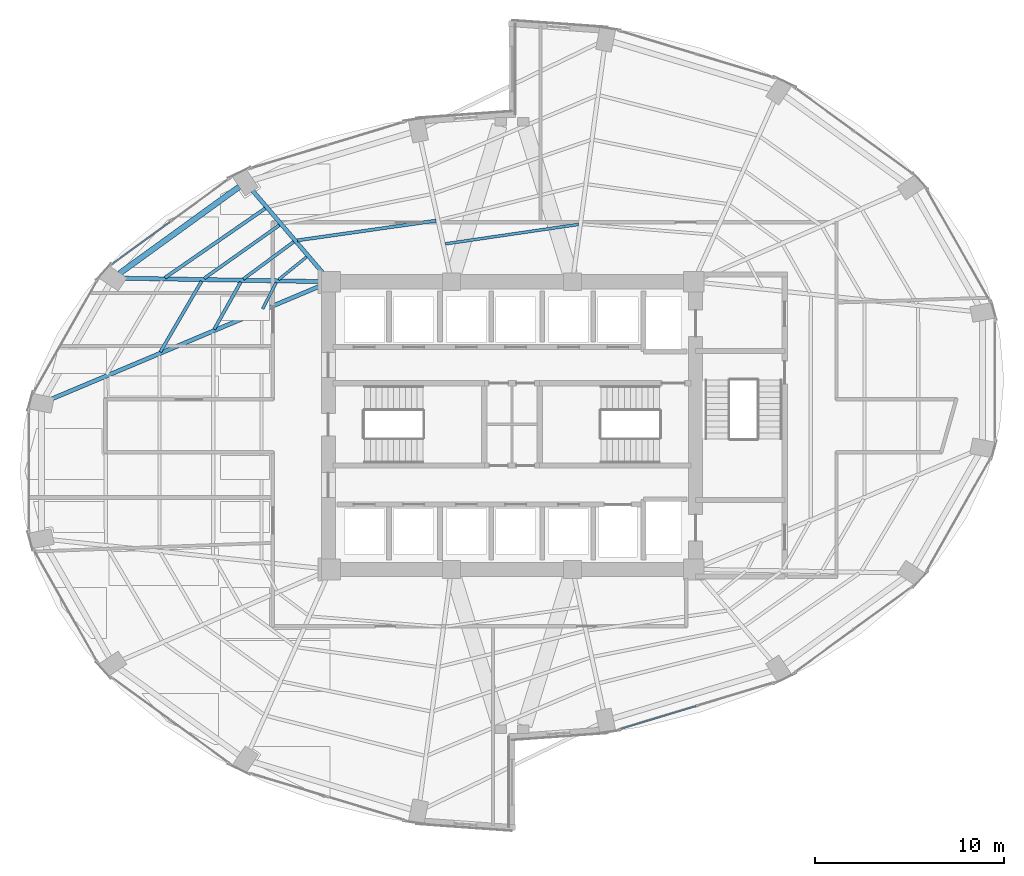
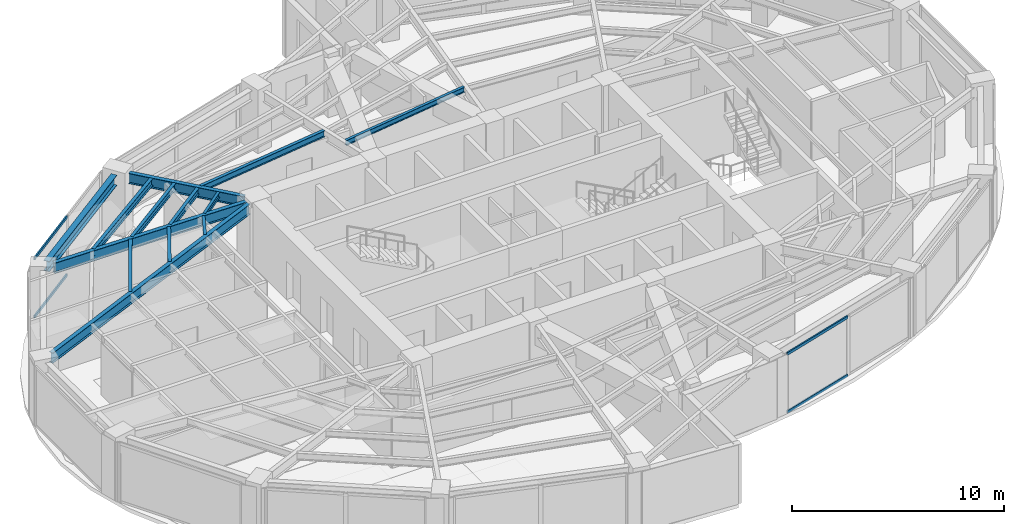
# One storey, part 9 of 23: 13 beams, 4 members, 2 elements without a shape of their own.
"""IFC4 building model written with IfcOpenShell, lengths in metres."""

from ifc_helpers import new_model, si_unit, direction, frame, origin, origin_2d, place, context, subcontext, project, spatial, hollow_rectangle, i_section, extrude, material, layer, layer_set, material_profile, profile_set, type_object, element, aggregate, save


model = new_model("IFC4")

# Units and contexts
model_context = context("Model", 3, precision=1e-05, world=origin(), true_north=direction((0.0, 1.0)))
body_context = subcontext(model_context, "Body", "Model", "MODEL_VIEW")
ifc_project = project(units=[si_unit("LENGTHUNIT", "METRE"), si_unit("AREAUNIT", "SQUARE_METRE"), si_unit("VOLUMEUNIT", "CUBIC_METRE"), si_unit("PLANEANGLEUNIT", "RADIAN"), si_unit("MASSUNIT", "GRAM", prefix="KILO")], contexts=[model_context])

# Site, building, storey
site_placement = place(None, origin())
site = spatial("IfcSite", under=ifc_project, at=site_placement, CompositionType="ELEMENT")
building_placement = place(site_placement, origin())
building = spatial("IfcBuilding", under=site, at=building_placement, Name="Lazwardi Medical Tower", CompositionType="ELEMENT")
storey_placement = place(building_placement, frame((0.0, 0.0, 92.68798828125)))
storey = spatial("IfcBuildingStorey", under=building, at=storey_placement, Name="L23", CompositionType="ELEMENT", Elevation=92.68798828125)

# Beams
ifc_material_1 = material(Name="Steel S355", Category="steel")
ifc_material_profile_1 = material_profile(ifc_material_1, i_section(OverallWidth=0.300048828125, OverallDepth=0.60009765625, WebThickness=0.015380859375, FlangeThickness=0.030029296875, at=origin_2d()), Name="HEB 600")
ifc_profile_set_1 = profile_set([ifc_material_profile_1], Name="Steel S355")
beam_type_1 = type_object("IfcBeamType", Name="BM-RB-Z2", PredefinedType="BEAM", material=ifc_profile_set_1)
beam_1_placement = place(storey_placement, frame((21.584228515625, 40.6171875, 3.1279296875), z_axis=(-0.810041907649, -0.586371987609, 0.0), x_axis=(0.586371987609, -0.810041907649, 0.0)))
element("IfcBeam", 1, at=beam_1_placement, inside=storey, type_object=beam_type_1, Name="Ring beam RB-03 B10 L23", PredefinedType="BEAM", context=body_context, shape_type="SweptSolid", body=[
    extrude(i_section(OverallWidth=0.300048828125, OverallDepth=0.60009765625, WebThickness=0.015380859375, FlangeThickness=0.030029296875, at=origin_2d()), origin(), (0.0, 0.0, 1.0), 7.814208984375),
])
ifc_material_profile_2 = material_profile(ifc_material_1, i_section(OverallWidth=0.219970703125, OverallDepth=0.60009765625, WebThickness=0.011962890625, FlangeThickness=0.01904296875, at=origin_2d()), Name="IPE 600")
ifc_profile_set_2 = profile_set([ifc_material_profile_2], Name="Steel S355")
beam_type_2 = type_object("IfcBeamType", Name="BM-RG-W1", PredefinedType="BEAM", material=ifc_profile_set_2)
beam_2_placement = place(storey_placement, frame((22.292724609375, 40.416259765625, 3.1279296875), z_axis=(0.648870567436, -0.760898801889, 0.0), x_axis=(0.760898801889, 0.648870567436, 0.0)))
element("IfcBeam", 2, at=beam_2_placement, inside=storey, type_object=beam_type_2, Name="Radial girder RG-02 R10 L23", PredefinedType="BEAM", context=body_context, shape_type="SweptSolid", body=[
    extrude(i_section(OverallWidth=0.219970703125, OverallDepth=0.60009765625, WebThickness=0.011962890625, FlangeThickness=0.01904296875, at=origin_2d()), origin(), (0.0, 0.0, 1.0), 5.794677734375),
])
beam_3_placement = place(storey_placement, frame((15.502197265625, 35.784912109375, 3.1279296875), z_axis=(0.99985616395, -0.016960289263, 0.0), x_axis=(0.016960289263, 0.99985616395, 0.0)))
element("IfcBeam", 3, at=beam_3_placement, inside=storey, type_object=beam_type_2, Name="Radial girder RG-02 R11 L23", PredefinedType="BEAM", context=body_context, shape_type="SweptSolid", body=[
    extrude(i_section(OverallWidth=0.219970703125, OverallDepth=0.60009765625, WebThickness=0.011962890625, FlangeThickness=0.01904296875, at=origin_2d()), origin(), (0.0, 0.0, 1.0), 10.3642578125),
])
beam_4_placement = place(storey_placement, frame((11.671630859375, 29.40478515625, 3.1279296875), z_axis=(0.921775176005, 0.38772480563, 0.0), x_axis=(-0.38772480563, 0.921775176005, 0.0)))
element("IfcBeam", 4, at=beam_4_placement, inside=storey, type_object=beam_type_2, Name="Radial girder RG-02 R12 L23", PredefinedType="BEAM", context=body_context, shape_type="SweptSolid", body=[
    extrude(i_section(OverallWidth=0.219970703125, OverallDepth=0.60009765625, WebThickness=0.011962890625, FlangeThickness=0.01904296875, at=origin_2d()), origin(), (0.0, 0.0, 1.0), 15.443359375),
])
ifc_material_profile_3 = material_profile(ifc_material_1, i_section(OverallWidth=0.179931640625, OverallDepth=0.39990234375, WebThickness=0.008544921875, FlangeThickness=0.013427734375, at=origin_2d()), Name="IPE 400")
ifc_profile_set_3 = profile_set([ifc_material_profile_3], Name="Steel S355")
beam_type_3 = type_object("IfcBeamType", Name="BM-SJ-01", PredefinedType="JOIST", material=ifc_profile_set_3)
beam_5_placement = place(storey_placement, frame((22.95849609375, 39.474609375, 3.22802734375), z_axis=(-0.822376339068, -0.568943896128, 0.0), x_axis=(0.568943896128, -0.822376339068, 0.0)))
element("IfcBeam", 5, at=beam_5_placement, inside=storey, type_object=beam_type_3, Name="Secondary joist SJ-01 R1 B10 L23", PredefinedType="JOIST", context=body_context, shape_type="SweptSolid", body=[
    extrude(i_section(OverallWidth=0.179931640625, OverallDepth=0.39990234375, WebThickness=0.008544921875, FlangeThickness=0.013427734375, at=origin_2d()), origin(), (0.0, 0.0, 1.0), 6.44189453125),
])
ifc_material_profile_4 = material_profile(ifc_material_1, i_section(OverallWidth=0.169921875, OverallDepth=0.360107421875, WebThickness=0.008056640625, FlangeThickness=0.0126953125, at=origin_2d()), Name="IPE 360")
ifc_profile_set_4 = profile_set([ifc_material_profile_4], Name="Steel S355")
beam_type_4 = type_object("IfcBeamType", Name="BM-SJ-02", PredefinedType="JOIST", material=ifc_profile_set_4)
beam_6_placement = place(storey_placement, frame((23.7109375, 38.591796875, 3.248046875), z_axis=(-0.816156371539, -0.577831097464, 0.0), x_axis=(0.577831097464, -0.816156371539, 0.0)))
element("IfcBeam", 6, at=beam_6_placement, inside=storey, type_object=beam_type_4, Name="Secondary joist SJ-02 R2 B10 L23", PredefinedType="JOIST", context=body_context, shape_type="SweptSolid", body=[
    extrude(i_section(OverallWidth=0.169921875, OverallDepth=0.360107421875, WebThickness=0.008056640625, FlangeThickness=0.0126953125, at=origin_2d()), origin(), (0.0, 0.0, 1.0), 4.8740234375),
])
beam_7_placement = place(storey_placement, frame((19.594482421875, 35.623779296875, 3.248046875), z_axis=(-0.503544274258, -0.86396942299, 0.0), x_axis=(0.86396942299, -0.503544274258, 0.0)))
element("IfcBeam", 7, at=beam_7_placement, inside=storey, type_object=beam_type_4, Name="Secondary joist SJ-02 R2 B11 L23", PredefinedType="JOIST", context=body_context, shape_type="SweptSolid", body=[
    extrude(i_section(OverallWidth=0.169921875, OverallDepth=0.360107421875, WebThickness=0.008056640625, FlangeThickness=0.0126953125, at=origin_2d()), origin(), (0.0, 0.0, 1.0), 4.321044921875),
])
beam_8_placement = place(storey_placement, frame((31.988525390625, 38.8271484375, 3.248046875), z_axis=(-0.990067108571, -0.140595592128, 0.0), x_axis=(0.140595592128, -0.990067108571, 0.0)))
element("IfcBeam", 8, at=beam_8_placement, inside=storey, type_object=beam_type_4, Name="Secondary joist SJ-02 R3 B09 L23", PredefinedType="JOIST", context=body_context, shape_type="SweptSolid", body=[
    extrude(i_section(OverallWidth=0.169921875, OverallDepth=0.360107421875, WebThickness=0.008056640625, FlangeThickness=0.0126953125, at=origin_2d()), origin(), (0.0, 0.0, 1.0), 7.409423828125),
])
beam_9_placement = place(storey_placement, frame((24.46435546875, 37.708251953125, 3.248046875), z_axis=(-0.804125525058, -0.594459536008, 0.0), x_axis=(0.594459536008, -0.804125525058, 0.0)))
element("IfcBeam", 9, at=beam_9_placement, inside=storey, type_object=beam_type_4, Name="Secondary joist SJ-02 R3 B10 L23", PredefinedType="JOIST", context=body_context, shape_type="SweptSolid", body=[
    extrude(i_section(OverallWidth=0.169921875, OverallDepth=0.360107421875, WebThickness=0.008056640625, FlangeThickness=0.0126953125, at=origin_2d()), origin(), (0.0, 0.0, 1.0), 3.30810546875),
])
beam_10_placement = place(storey_placement, frame((21.66845703125, 35.587890625, 3.248046875), z_axis=(-0.489860824278, -0.871800649711, 0.0), x_axis=(0.871800649711, -0.489860824278, 0.0)))
element("IfcBeam", 10, at=beam_10_placement, inside=storey, type_object=beam_type_4, Name="Secondary joist SJ-02 R3 B11 L23", PredefinedType="JOIST", context=body_context, shape_type="SweptSolid", body=[
    extrude(i_section(OverallWidth=0.169921875, OverallDepth=0.360107421875, WebThickness=0.008056640625, FlangeThickness=0.0126953125, at=origin_2d()), origin(), (0.0, 0.0, 1.0), 2.8662109375),
])
ifc_material_profile_5 = material_profile(ifc_material_1, i_section(OverallWidth=0.14990234375, OverallDepth=0.300048828125, WebThickness=0.007080078125, FlangeThickness=0.0107421875, at=origin_2d()), Name="IPE 300")
ifc_profile_set_5 = profile_set([ifc_material_profile_5], Name="Steel S355")
beam_type_5 = type_object("IfcBeamType", Name="BM-SJ-03", PredefinedType="JOIST", material=ifc_profile_set_5)
beam_11_placement = place(storey_placement, frame((39.511474609375, 38.62939453125, 3.278076171875), z_axis=(-0.98949221477, -0.144586157392, 0.0), x_axis=(0.144586157392, -0.98949221477, 0.0)))
element("IfcBeam", 11, at=beam_11_placement, inside=storey, type_object=beam_type_5, Name="Secondary joist SJ-03 R4 B08 L23", PredefinedType="JOIST", context=body_context, shape_type="SweptSolid", body=[
    extrude(i_section(OverallWidth=0.14990234375, OverallDepth=0.300048828125, WebThickness=0.007080078125, FlangeThickness=0.0107421875, at=origin_2d()), origin(), (0.0, 0.0, 1.0), 7.115478515625),
])
beam_12_placement = place(storey_placement, frame((25.14404296875, 36.910888671875, 3.278076171875), z_axis=(-0.77695773322, -0.629552762515, 0.0), x_axis=(0.629552762515, -0.77695773322, 0.0)))
element("IfcBeam", 12, at=beam_12_placement, inside=storey, type_object=beam_type_5, Name="Secondary joist SJ-03 R4 B10 L23", PredefinedType="JOIST", context=body_context, shape_type="SweptSolid", body=[
    extrude(i_section(OverallWidth=0.14990234375, OverallDepth=0.300048828125, WebThickness=0.007080078125, FlangeThickness=0.0107421875, at=origin_2d()), origin(), (0.0, 0.0, 1.0), 1.9013671875),
])
beam_13_placement = place(storey_placement, frame((23.537109375, 35.554443359375, 3.278076171875), z_axis=(-0.457956589674, -0.888974556427, 0.0), x_axis=(0.888974556427, -0.457956589674, 0.0)))
element("IfcBeam", 13, at=beam_13_placement, inside=storey, type_object=beam_type_5, Name="Secondary joist SJ-03 R4 B11 L23", PredefinedType="JOIST", context=body_context, shape_type="SweptSolid", body=[
    extrude(i_section(OverallWidth=0.14990234375, OverallDepth=0.300048828125, WebThickness=0.007080078125, FlangeThickness=0.0107421875, at=origin_2d()), origin(), (0.0, 0.0, 1.0), 1.558837890625),
])

# Curtain wall, members
ifc_material_2 = material(Name="Anodised bronze aluminium and solar control glazing", Category="aluminium")
ifc_layer = layer(ifc_material_2, 0.195068359375)
ifc_layer_set = layer_set([ifc_layer], Name="Anodised bronze aluminium and solar control glazing")
curtain_wall_type = type_object("IfcCurtainWallType", Name="CW-SYS-03", PredefinedType="NOTDEFINED", material=ifc_layer_set)
curtain_wall_1_placement = place(storey_placement, origin())
curtain_wall_1 = element("IfcCurtainWall", 14, at=curtain_wall_1_placement, inside=storey, type_object=curtain_wall_type, Name="L23 Unitised bronze curtain wall CW-03", PredefinedType="NOTDEFINED")
ifc_material_3 = material(Name="Anodised bronze aluminium", Category="aluminium")
ifc_material_profile_6 = material_profile(ifc_material_3, hollow_rectangle(XDim=0.074951171875, YDim=0.159912109375, WallThickness=0.00390625, at=origin_2d()), Name="ALU-TRANSOM 160x75x4")
ifc_profile_set_6 = profile_set([ifc_material_profile_6], Name="Anodised bronze aluminium")
member_type = type_object("IfcMemberType", Name="CW-TRN-01", PredefinedType="USERDEFINED", material=ifc_profile_set_6)
member_1_placement = place(storey_placement, frame((41.74609375, 11.970703125, 0.03759765625), z_axis=(0.957220865985, 0.289358279168, 0.0), x_axis=(-0.289358279168, 0.957220865985, 0.0)))
member_1 = element("IfcMember", 15, at=member_1_placement, type_object=member_type, Name="CW-03 transom 1.1", ObjectType="TRANSOM", PredefinedType="USERDEFINED", context=body_context, shape_type="SweptSolid", body=[
    extrude(hollow_rectangle(XDim=0.074951171875, YDim=0.159912109375, WallThickness=0.00390625, at=origin_2d()), origin(), (0.0, 0.0, 1.0), 4.16552734375),
])
member_2_placement = place(storey_placement, frame((41.74609375, 11.970703125, 3.390625), z_axis=(0.957220865985, 0.289358279168, 0.0), x_axis=(-0.289358279168, 0.957220865985, 0.0)))
member_2 = element("IfcMember", 16, at=member_2_placement, type_object=member_type, Name="CW-03 transom 1.2", ObjectType="TRANSOM", PredefinedType="USERDEFINED", context=body_context, shape_type="SweptSolid", body=[
    extrude(hollow_rectangle(XDim=0.074951171875, YDim=0.159912109375, WallThickness=0.00390625, at=origin_2d()), origin(), (0.0, 0.0, 1.0), 4.16552734375),
])
aggregate(curtain_wall_1, [member_1, member_2])

curtain_wall_2_placement = place(storey_placement, origin())
curtain_wall_2 = element("IfcCurtainWall", 17, at=curtain_wall_2_placement, inside=storey, type_object=curtain_wall_type, Name="L23 Unitised bronze curtain wall CW-03", PredefinedType="NOTDEFINED")
member_3_placement = place(storey_placement, frame((17.918701171875, 38.752197265625, 0.03759765625), z_axis=(-0.807731734271, -0.589550206049, 0.0), x_axis=(0.589550206049, -0.807731734271, 0.0)))
member_3 = element("IfcMember", 18, at=member_3_placement, type_object=member_type, Name="CW-03 transom 2.1", ObjectType="TRANSOM", PredefinedType="USERDEFINED", context=body_context, shape_type="SweptSolid", body=[
    extrude(hollow_rectangle(XDim=0.074951171875, YDim=0.159912109375, WallThickness=0.00390625, at=origin_2d()), origin(), (0.0, 0.0, 1.0), 3.767578125),
])
member_4_placement = place(storey_placement, frame((17.918701171875, 38.752197265625, 3.390625), z_axis=(-0.807731734271, -0.589550206049, 0.0), x_axis=(0.589550206049, -0.807731734271, 0.0)))
member_4 = element("IfcMember", 19, at=member_4_placement, type_object=member_type, Name="CW-03 transom 2.2", ObjectType="TRANSOM", PredefinedType="USERDEFINED", context=body_context, shape_type="SweptSolid", body=[
    extrude(hollow_rectangle(XDim=0.074951171875, YDim=0.159912109375, WallThickness=0.00390625, at=origin_2d()), origin(), (0.0, 0.0, 1.0), 3.767578125),
])
aggregate(curtain_wall_2, [member_3, member_4])

save(model, "model.ifc")
